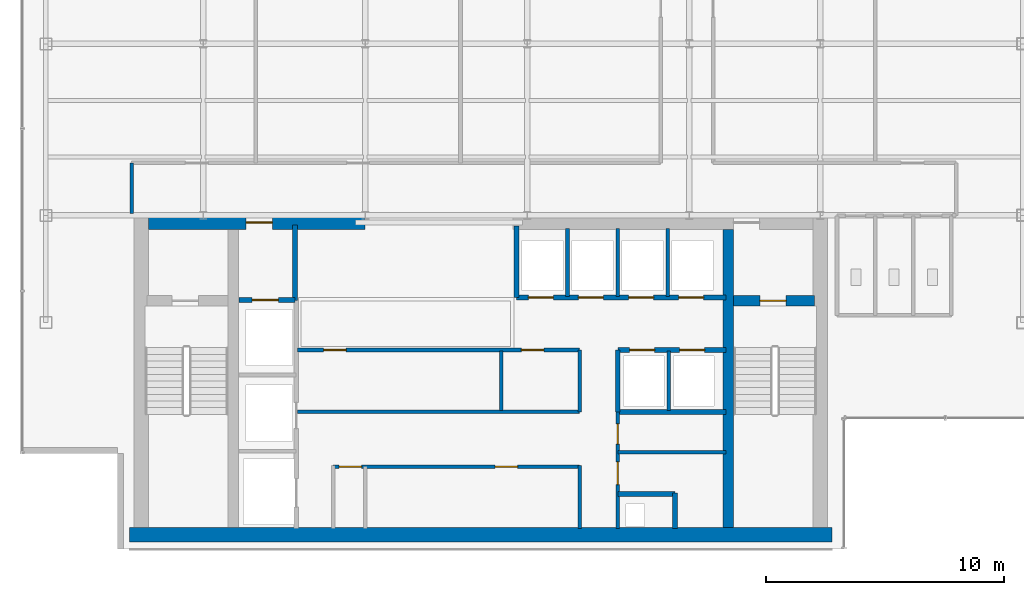
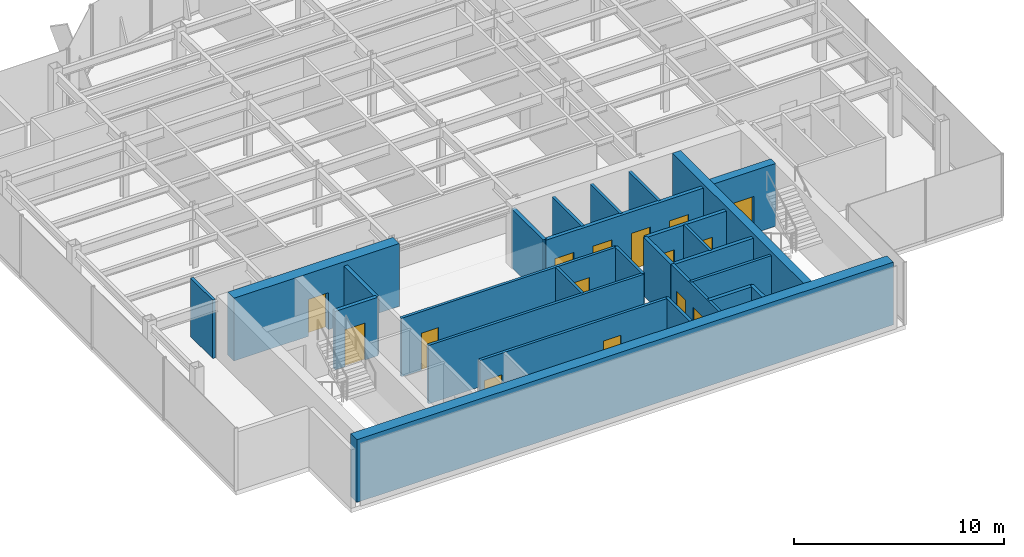
# One storey, part 17 of 22: 26 walls, 15 doors, 15 openings.
"""IFC4 building model written with IfcOpenShell, lengths in metres."""

from ifc_helpers import new_model, si_unit, derived_unit, direction, frame, frame_2d, origin, place, context, subcontext, project, spatial, rectangle, extrude, source, transform, mapped, material, layer, layer_set, type_object, element, fill, save


model = new_model("IFC4")

# Units and contexts
model_context = context("Model", 3, precision=1e-05, world=origin(), true_north=direction((0.0, 1.0)))
body_context = subcontext(model_context, "Body", "Model", "MODEL_VIEW")
ifc_project = project(units=[si_unit("LENGTHUNIT", "METRE"), si_unit("AREAUNIT", "SQUARE_METRE"), si_unit("VOLUMEUNIT", "CUBIC_METRE"), si_unit("PLANEANGLEUNIT", "RADIAN"), si_unit("MASSUNIT", "GRAM", prefix="KILO"), derived_unit("THERMALTRANSMITTANCEUNIT", [(si_unit("POWERUNIT", "WATT"), 1), (si_unit("LENGTHUNIT", "METRE"), -2), (si_unit("THERMODYNAMICTEMPERATUREUNIT", "KELVIN"), -1)])], contexts=[model_context])

# Site, building, storey
site_placement = place(None, origin())
site = spatial("IfcSite", under=ifc_project, at=site_placement, CompositionType="ELEMENT")
building_placement = place(site_placement, origin())
building = spatial("IfcBuilding", under=site, at=building_placement, Name="Skarnbrae Concourse Arena and Tower", CompositionType="ELEMENT")
storey_placement = place(building_placement, frame((0.0, 0.0, 225.10009765625)))
storey = spatial("IfcBuildingStorey", under=building, at=storey_placement, Name="L58", CompositionType="ELEMENT", Elevation=225.10009765625)

# Wall, opening, door
ifc_material_1 = material(Name="Concrete 50 MPa (C50/60)", Category="concrete")
ifc_layer_1 = layer(ifc_material_1, 0.449951171875)
ifc_layer_set_1 = layer_set([ifc_layer_1], Name="Concrete 50 MPa (C50/60)")
wall_type_1 = type_object("IfcWallType", Name="WALL-CORE-450-C50", PredefinedType="SHEAR", material=ifc_layer_set_1)
shared_shape_1 = source(origin(), body_context, "Body", "SweptSolid", [
    extrude(rectangle(XDim=3.389892578125, YDim=0.449951171875, at=frame_2d((1.69482421875, 0.0))), origin(), (0.0, 0.0, 1.0), 3.64990234375),
])
wall_1_placement = place(storey_placement, frame((29.860107421875, 10.419921875, 0.0), z_axis=(0.0, 0.0, 1.0), x_axis=(1.0, 0.0, 0.0)))
wall_1 = element("IfcWall", 1, at=wall_1_placement, inside=storey, type_object=wall_type_1, Name="L58 Rear core shear wall CW-ST2-N", PredefinedType="SHEAR", context=body_context, shape_type="MappedRepresentation", body=[
    mapped(shared_shape_1, transform((0.0, 0.0, 0.0))),
])
opening_1_placement = place(wall_1_placement, frame((1.10009765625, 0.0, 0.0)))
opening_1 = element("IfcOpeningElement", 2, at=opening_1_placement, cuts=wall_1, Name="Opening DT-03", PredefinedType="OPENING", context=body_context, shape_type="SweptSolid", body=[
    extrude(rectangle(XDim=1.10009765625, YDim=2.14990234375, at=frame_2d((0.550048828125, 1.074951171875))), frame((0.0, 0.23486328125, 0.0), z_axis=(0.0, -1.0, 0.0), x_axis=(1.0, 0.0, 0.0)), (0.0, 0.0, 1.0), 0.469970703125),
])
ifc_material_2 = material(Name="Steel CSA G40.21 350W", Category="steel")
door_type_1 = type_object("IfcDoorType", Name="DOOR-FIRE-1100-90M", OperationType="NOTDEFINED", PredefinedType="DOOR", material=ifc_material_2)
shared_shape_2 = source(origin(), body_context, "Body", "SweptSolid", [
    extrude(rectangle(XDim=1.10009765625, YDim=2.14990234375, at=frame_2d((0.550048828125, 1.074951171875))), frame((0.0, 0.02490234375, 0.0), z_axis=(0.0, -1.0, 0.0), x_axis=(1.0, 0.0, 0.0)), (0.0, 0.0, 1.0), 0.050048828125),
])
door_1_placement = place(opening_1_placement, frame((1.10009765625, 0.0, 0.0), z_axis=(0.0, 0.0, 1.0), x_axis=(-1.0, 0.0, 0.0)))
door_1 = element("IfcDoor", 3, at=door_1_placement, inside=storey, type_object=door_type_1, Name="D-1761 Stair ST-2 Door", OperationType="SINGLE_SWING_RIGHT", OverallHeight=2.14990234375, OverallWidth=1.10009765625, PredefinedType="DOOR", context=body_context, shape_type="MappedRepresentation", body=[
    mapped(shared_shape_2, transform((0.0, 0.0, 0.0))),
])
fill(opening_1, door_1)

# Wall
ifc_layer_2 = layer(ifc_material_1, 0.60009765625)
ifc_layer_set_2 = layer_set([ifc_layer_2], Name="Concrete 50 MPa (C50/60)")
wall_type_2 = type_object("IfcWallType", Name="WALL-CORE-600-C50", PredefinedType="SHEAR", material=ifc_layer_set_2)
shared_shape_3 = source(origin(), body_context, "Body", "SweptSolid", [
    extrude(rectangle(XDim=29.5, YDim=0.60009765625, at=frame_2d((14.75, 0.0))), origin(), (0.0, 0.0, 1.0), 3.64990234375),
])
wall_2_placement = place(storey_placement, frame((4.5, 0.60009765625, 0.0), z_axis=(0.0, 0.0, 1.0), x_axis=(1.0, 0.0, 0.0)))
element("IfcWall", 4, at=wall_2_placement, inside=storey, type_object=wall_type_2, Name="L58 Rear core shear wall CW-S", PredefinedType="SHEAR", context=body_context, shape_type="MappedRepresentation", body=[
    mapped(shared_shape_3, transform((0.0, 0.0, 0.0))),
])

# Wall, opening, door
shared_shape_4 = source(origin(), body_context, "Body", "SweptSolid", [
    extrude(rectangle(XDim=9.099853515625, YDim=0.60009765625, at=frame_2d((4.5498046875, 0.0))), origin(), (0.0, 0.0, 1.0), 3.64990234375),
])
wall_3_placement = place(storey_placement, frame((5.300048828125, 13.699951171875, 0.0), z_axis=(0.0, 0.0, 1.0), x_axis=(1.0, 0.0, 0.0)))
wall_3 = element("IfcWall", 5, at=wall_3_placement, inside=storey, type_object=wall_type_2, Name="L58 Rear core shear wall CW-NW", PredefinedType="SHEAR", context=body_context, shape_type="MappedRepresentation", body=[
    mapped(shared_shape_4, transform((0.0, 0.0, 0.0))),
])
opening_2_placement = place(wall_3_placement, frame((4.10009765625, 0.0, 0.0)))
opening_2 = element("IfcOpeningElement", 6, at=opening_2_placement, cuts=wall_3, Name="Opening DT-03", PredefinedType="OPENING", context=body_context, shape_type="SweptSolid", body=[
    extrude(rectangle(XDim=1.10009765625, YDim=2.14990234375, at=frame_2d((0.550048828125, 1.074951171875))), frame((0.0, 0.31005859375, 0.0), z_axis=(0.0, -1.0, 0.0), x_axis=(1.0, 0.0, 0.0)), (0.0, 0.0, 1.0), 0.6201171875),
])
door_2_placement = place(opening_2_placement, origin())
door_2 = element("IfcDoor", 7, at=door_2_placement, inside=storey, type_object=door_type_1, Name="D-1762 Firefighting Lobby Exit Door", OperationType="SINGLE_SWING_RIGHT", OverallHeight=2.14990234375, OverallWidth=1.10009765625, PredefinedType="DOOR", context=body_context, shape_type="MappedRepresentation", body=[
    mapped(shared_shape_2, transform((0.0, 0.0, 0.0))),
])
fill(opening_2, door_2)

# Walls
shared_shape_5 = source(origin(), body_context, "Body", "SweptSolid", [
    extrude(rectangle(XDim=12.5, YDim=0.449951171875, at=frame_2d((6.25, 0.0))), origin(), (0.0, 0.0, 1.0), 3.64990234375),
])
wall_4_placement = place(storey_placement, frame((29.635009765625, 0.89990234375, 0.0), z_axis=(0.0, 0.0, 1.0), x_axis=(0.0, 1.0, 0.0)))
element("IfcWall", 8, at=wall_4_placement, inside=storey, type_object=wall_type_1, Name="L58 Rear core shear wall CW-WEB-E", PredefinedType="SHEAR", context=body_context, shape_type="MappedRepresentation", body=[
    mapped(shared_shape_5, transform((0.0, 0.0, 0.0))),
])
ifc_material_3 = material(Name="Gypsum board on cold-formed steel studs", Category="steel")
ifc_layer_3 = layer(ifc_material_3, 0.199951171875)
ifc_layer_set_3 = layer_set([ifc_layer_3], Name="Gypsum board on cold-formed steel studs")
wall_type_3 = type_object("IfcWallType", Name="WALL-PART-200-2HR", PredefinedType="PARTITIONING", material=ifc_layer_set_3)
shared_shape_6 = source(origin(), body_context, "Body", "SweptSolid", [
    extrude(rectangle(XDim=3.18017578125, YDim=0.199951171875, at=frame_2d((1.590087890625, 0.0))), origin(), (0.0, 0.0, 1.0), 3.39990234375),
])
wall_5_placement = place(storey_placement, frame((11.449951171875, 10.419921875, 0.0), z_axis=(0.0, 0.0, 1.0), x_axis=(0.0, 1.0, 0.0)))
element("IfcWall", 9, at=wall_5_placement, inside=storey, type_object=wall_type_3, Name="L58 Interior partition wall W-L58-FFL-E", PredefinedType="PARTITIONING", context=body_context, shape_type="MappedRepresentation", body=[
    mapped(shared_shape_6, transform((0.0, 0.0, 0.0))),
])

# Wall, opening, door
shared_shape_7 = source(origin(), body_context, "Body", "SweptSolid", [
    extrude(rectangle(XDim=2.349853515625, YDim=0.199951171875, at=frame_2d((1.1748046875, 0.0))), origin(), (0.0, 0.0, 1.0), 3.39990234375),
])
wall_6_placement = place(storey_placement, frame((9.10009765625, 10.449951171875, 0.0), z_axis=(0.0, 0.0, 1.0), x_axis=(1.0, 0.0, 0.0)))
wall_6 = element("IfcWall", 10, at=wall_6_placement, inside=storey, type_object=wall_type_3, Name="L58 Interior partition wall W-L58-FL1-N", PredefinedType="PARTITIONING", context=body_context, shape_type="MappedRepresentation", body=[
    mapped(shared_shape_7, transform((0.0, 0.0, 0.0))),
])
opening_3_placement = place(wall_6_placement, frame((0.550048828125, 0.0, 0.0)))
opening_3 = element("IfcOpeningElement", 11, at=opening_3_placement, cuts=wall_6, Name="Opening LD-01", PredefinedType="OPENING", context=body_context, shape_type="SweptSolid", body=[
    extrude(rectangle(XDim=1.10009765625, YDim=2.14990234375, at=frame_2d((0.550048828125, 1.074951171875))), frame((0.0, 0.10986328125, 0.0), z_axis=(0.0, -1.0, 0.0), x_axis=(1.0, 0.0, 0.0)), (0.0, 0.0, 1.0), 0.219970703125),
])
door_type_2 = type_object("IfcDoorType", Name="DOOR-LIFT-SLIDE-1100", OperationType="SLIDING_TO_LEFT", PredefinedType="DOOR", material=ifc_material_2)
door_3_placement = place(opening_3_placement, origin())
door_3 = element("IfcDoor", 12, at=door_3_placement, inside=storey, type_object=door_type_2, Name="D-1764 Firefighting Lift Landing Door FL-01", OperationType="SLIDING_TO_LEFT", OverallHeight=2.14990234375, OverallWidth=1.10009765625, PredefinedType="DOOR", context=body_context, shape_type="MappedRepresentation", body=[
    mapped(shared_shape_2, transform((0.0, 0.0, 0.0))),
])
fill(opening_3, door_3)

# Walls
shared_shape_8 = source(origin(), body_context, "Body", "SweptSolid", [
    extrude(rectangle(XDim=2.60009765625, YDim=0.199951171875, at=frame_2d((1.300048828125, 0.0))), origin(), (0.0, 0.0, 1.0), 3.39990234375),
])
wall_7_placement = place(storey_placement, frame((25.0, 5.75, 0.0), z_axis=(0.0, 0.0, 1.0), x_axis=(0.0, 1.0, 0.0)))
element("IfcWall", 13, at=wall_7_placement, inside=storey, type_object=wall_type_3, Name="L58 Interior partition wall W-L58-B3S-W", PredefinedType="PARTITIONING", context=body_context, shape_type="MappedRepresentation", body=[
    mapped(shared_shape_8, transform((0.0, 0.0, 0.0))),
])
ifc_layer_4 = layer(ifc_material_3, 0.14990234375)
ifc_layer_set_4 = layer_set([ifc_layer_4], Name="Gypsum board on cold-formed steel studs")
wall_type_4 = type_object("IfcWallType", Name="WALL-PART-150", PredefinedType="PARTITIONING", material=ifc_layer_set_4)
shared_shape_9 = source(origin(), body_context, "Body", "SweptSolid", [
    extrude(rectangle(XDim=2.5, YDim=0.14990234375, at=frame_2d((1.25, 0.0))), origin(), (0.0, 0.0, 1.0), 3.39990234375),
])
for number, where, z_axis, x_axis, name in (
    (14, (20.10009765625, 5.800048828125, 0.0), (0.0, 0.0, 1.0), (0.0, 1.0, 0.0), "L58 Interior partition wall W-L58-B2M-MID"),
    (15, (27.139892578125, 5.800048828125, 0.0), (0.0, 0.0, 1.0), (0.0, 1.0, 0.0), "L58 Interior partition wall W-L58-B3S-P1"),
):
    element("IfcWall", number, at=place(storey_placement, frame(where, z_axis=z_axis, x_axis=x_axis)), inside=storey, type_object=wall_type_4, Name=name, PredefinedType="PARTITIONING", context=body_context, shape_type="MappedRepresentation", body=[
        mapped(shared_shape_9, transform((0.0, 0.0, 0.0))),
    ])

# Wall, openings, doors
shared_shape_10 = source(origin(), body_context, "Body", "SweptSolid", [
    extrude(rectangle(XDim=8.800048828125, YDim=0.199951171875, at=frame_2d((4.39990234375, 0.0))), origin(), (0.0, 0.0, 1.0), 3.39990234375),
])
wall_8_placement = place(storey_placement, frame((20.75, 10.550048828125, 0.0), z_axis=(0.0, 0.0, 1.0), x_axis=(1.0, 0.0, 0.0)))
wall_8 = element("IfcWall", 16, at=wall_8_placement, inside=storey, type_object=wall_type_3, Name="L58 Interior partition wall W-L58-B3N-S", PredefinedType="PARTITIONING", context=body_context, shape_type="MappedRepresentation", body=[
    mapped(shared_shape_10, transform((0.0, 0.0, 0.0))),
])
opening_4_placement = place(wall_8_placement, frame((0.5, 0.0, 0.0)))
opening_4 = element("IfcOpeningElement", 17, at=opening_4_placement, cuts=wall_8, Name="Opening LD-04", PredefinedType="OPENING", context=body_context, shape_type="SweptSolid", body=[
    extrude(rectangle(XDim=1.050048828125, YDim=2.14990234375, at=frame_2d((0.52490234375, 1.074951171875))), frame((0.0, 0.10986328125, 0.0), z_axis=(0.0, -1.0, 0.0), x_axis=(1.0, 0.0, 0.0)), (0.0, 0.0, 1.0), 0.219970703125),
])
opening_5_placement = place(wall_8_placement, frame((2.60009765625, 0.0, 0.0)))
opening_5 = element("IfcOpeningElement", 18, at=opening_5_placement, cuts=wall_8, Name="Opening LD-04", PredefinedType="OPENING", context=body_context, shape_type="SweptSolid", body=[
    extrude(rectangle(XDim=1.050048828125, YDim=2.14990234375, at=frame_2d((0.52490234375, 1.074951171875))), frame((0.0, 0.10986328125, 0.0), z_axis=(0.0, -1.0, 0.0), x_axis=(1.0, 0.0, 0.0)), (0.0, 0.0, 1.0), 0.219970703125),
])
opening_6_placement = place(wall_8_placement, frame((4.699951171875, 0.0, 0.0)))
opening_6 = element("IfcOpeningElement", 19, at=opening_6_placement, cuts=wall_8, Name="Opening LD-04", PredefinedType="OPENING", context=body_context, shape_type="SweptSolid", body=[
    extrude(rectangle(XDim=1.050048828125, YDim=2.14990234375, at=frame_2d((0.52490234375, 1.074951171875))), frame((0.0, 0.10986328125, 0.0), z_axis=(0.0, -1.0, 0.0), x_axis=(1.0, 0.0, 0.0)), (0.0, 0.0, 1.0), 0.219970703125),
])
opening_7_placement = place(wall_8_placement, frame((6.800048828125, 0.0, 0.0)))
opening_7 = element("IfcOpeningElement", 20, at=opening_7_placement, cuts=wall_8, Name="Opening LD-04", PredefinedType="OPENING", context=body_context, shape_type="SweptSolid", body=[
    extrude(rectangle(XDim=1.050048828125, YDim=2.14990234375, at=frame_2d((0.52490234375, 1.074951171875))), frame((0.0, 0.10986328125, 0.0), z_axis=(0.0, -1.0, 0.0), x_axis=(1.0, 0.0, 0.0)), (0.0, 0.0, 1.0), 0.219970703125),
])
ifc_material_4 = material(Name="Bronze anodised aluminium 6063-T6", Category="aluminium")
door_type_3 = type_object("IfcDoorType", Name="DOOR-LIFT-SLIDE-1050H", OperationType="SLIDING_TO_LEFT", PredefinedType="DOOR", material=ifc_material_4)
shared_shape_11 = source(origin(), body_context, "Body", "SweptSolid", [
    extrude(rectangle(XDim=1.050048828125, YDim=2.14990234375, at=frame_2d((0.52490234375, 1.074951171875))), frame((0.0, 0.02490234375, 0.0), z_axis=(0.0, -1.0, 0.0), x_axis=(1.0, 0.0, 0.0)), (0.0, 0.0, 1.0), 0.050048828125),
])
door_4_placement = place(opening_4_placement, frame((1.050048828125, 0.0, 0.0), z_axis=(0.0, 0.0, 1.0), x_axis=(-1.0, 0.0, 0.0)))
door_4 = element("IfcDoor", 21, at=door_4_placement, inside=storey, type_object=door_type_3, Name="D-1771 Passenger Lift Landing Door PL-3A", OperationType="SLIDING_TO_LEFT", OverallHeight=2.14990234375, OverallWidth=1.050048828125, PredefinedType="DOOR", context=body_context, shape_type="MappedRepresentation", body=[
    mapped(shared_shape_11, transform((0.0, 0.0, 0.0))),
])
fill(opening_4, door_4)
door_5_placement = place(opening_5_placement, frame((1.050048828125, 0.0, 0.0), z_axis=(0.0, 0.0, 1.0), x_axis=(-1.0, 0.0, 0.0)))
door_5 = element("IfcDoor", 22, at=door_5_placement, inside=storey, type_object=door_type_3, Name="D-1772 Passenger Lift Landing Door PL-3B", OperationType="SLIDING_TO_LEFT", OverallHeight=2.14990234375, OverallWidth=1.050048828125, PredefinedType="DOOR", context=body_context, shape_type="MappedRepresentation", body=[
    mapped(shared_shape_11, transform((0.0, 0.0, 0.0))),
])
fill(opening_5, door_5)
door_6_placement = place(opening_6_placement, frame((1.050048828125, 0.0, 0.0), z_axis=(0.0, 0.0, 1.0), x_axis=(-1.0, 0.0, 0.0)))
door_6 = element("IfcDoor", 23, at=door_6_placement, inside=storey, type_object=door_type_3, Name="D-1773 Passenger Lift Landing Door PL-3C", OperationType="SLIDING_TO_LEFT", OverallHeight=2.14990234375, OverallWidth=1.050048828125, PredefinedType="DOOR", context=body_context, shape_type="MappedRepresentation", body=[
    mapped(shared_shape_11, transform((0.0, 0.0, 0.0))),
])
fill(opening_6, door_6)
door_7_placement = place(opening_7_placement, frame((1.050048828125, 0.0, 0.0), z_axis=(0.0, 0.0, 1.0), x_axis=(-1.0, 0.0, 0.0)))
door_7 = element("IfcDoor", 24, at=door_7_placement, inside=storey, type_object=door_type_3, Name="D-1774 Passenger Lift Landing Door PL-3D", OperationType="SLIDING_TO_LEFT", OverallHeight=2.14990234375, OverallWidth=1.050048828125, PredefinedType="DOOR", context=body_context, shape_type="MappedRepresentation", body=[
    mapped(shared_shape_11, transform((0.0, 0.0, 0.0))),
])
fill(opening_7, door_7)

# Walls
shared_shape_12 = source(origin(), body_context, "Body", "SweptSolid", [
    extrude(rectangle(XDim=3.0, YDim=0.199951171875, at=frame_2d((1.5, 0.0))), origin(), (0.0, 0.0, 1.0), 3.39990234375),
])
wall_9_placement = place(storey_placement, frame((20.75, 10.550048828125, 0.0), z_axis=(0.0, 0.0, 1.0), x_axis=(0.0, 1.0, 0.0)))
element("IfcWall", 25, at=wall_9_placement, inside=storey, type_object=wall_type_3, Name="L58 Interior partition wall W-L58-B3N-W", PredefinedType="PARTITIONING", context=body_context, shape_type="MappedRepresentation", body=[
    mapped(shared_shape_12, transform((0.0, 0.0, 0.0))),
])
shared_shape_13 = source(origin(), body_context, "Body", "SweptSolid", [
    extrude(rectangle(XDim=2.849853515625, YDim=0.14990234375, at=frame_2d((1.4248046875, 0.0))), origin(), (0.0, 0.0, 1.0), 3.39990234375),
])
for number, where, z_axis, x_axis, name in (
    (26, (22.889892578125, 10.60009765625, 0.0), (0.0, 0.0, 1.0), (0.0, 1.0, 0.0), "L58 Interior partition wall W-L58-B3N-P1"),
    (27, (24.989990234375, 10.60009765625, 0.0), (0.0, 0.0, 1.0), (0.0, 1.0, 0.0), "L58 Interior partition wall W-L58-B3N-P2"),
    (28, (27.090087890625, 10.60009765625, 0.0), (0.0, 0.0, 1.0), (0.0, 1.0, 0.0), "L58 Interior partition wall W-L58-B3N-P3"),
):
    element("IfcWall", number, at=place(storey_placement, frame(where, z_axis=z_axis, x_axis=x_axis)), inside=storey, type_object=wall_type_4, Name=name, PredefinedType="PARTITIONING", context=body_context, shape_type="MappedRepresentation", body=[
        mapped(shared_shape_13, transform((0.0, 0.0, 0.0))),
    ])

# Wall, openings, doors
shared_shape_14 = source(origin(), body_context, "Body", "SweptSolid", [
    extrude(rectangle(XDim=4.550048828125, YDim=0.199951171875, at=frame_2d((2.27490234375, 0.0))), origin(), (0.0, 0.0, 1.0), 3.39990234375),
])
wall_10_placement = place(storey_placement, frame((25.0, 8.35009765625, 0.0), z_axis=(0.0, 0.0, 1.0), x_axis=(1.0, 0.0, 0.0)))
wall_10 = element("IfcWall", 29, at=wall_10_placement, inside=storey, type_object=wall_type_3, Name="L58 Interior partition wall W-L58-B3S-N", PredefinedType="PARTITIONING", context=body_context, shape_type="MappedRepresentation", body=[
    mapped(shared_shape_14, transform((0.0, 0.0, 0.0))),
])
opening_8_placement = place(wall_10_placement, frame((0.5, 0.0, 0.0)))
opening_8 = element("IfcOpeningElement", 30, at=opening_8_placement, cuts=wall_10, Name="Opening LD-04", PredefinedType="OPENING", context=body_context, shape_type="SweptSolid", body=[
    extrude(rectangle(XDim=1.050048828125, YDim=2.14990234375, at=frame_2d((0.52490234375, 1.074951171875))), frame((0.0, 0.10986328125, 0.0), z_axis=(0.0, -1.0, 0.0), x_axis=(1.0, 0.0, 0.0)), (0.0, 0.0, 1.0), 0.219970703125),
])
opening_9_placement = place(wall_10_placement, frame((2.60009765625, 0.0, 0.0)))
opening_9 = element("IfcOpeningElement", 31, at=opening_9_placement, cuts=wall_10, Name="Opening LD-04", PredefinedType="OPENING", context=body_context, shape_type="SweptSolid", body=[
    extrude(rectangle(XDim=1.050048828125, YDim=2.14990234375, at=frame_2d((0.52490234375, 1.074951171875))), frame((0.0, 0.10986328125, 0.0), z_axis=(0.0, -1.0, 0.0), x_axis=(1.0, 0.0, 0.0)), (0.0, 0.0, 1.0), 0.219970703125),
])
door_8_placement = place(opening_8_placement, origin())
door_8 = element("IfcDoor", 32, at=door_8_placement, inside=storey, type_object=door_type_3, Name="D-1775 Passenger Lift Landing Door PL-3E", OperationType="SLIDING_TO_LEFT", OverallHeight=2.14990234375, OverallWidth=1.050048828125, PredefinedType="DOOR", context=body_context, shape_type="MappedRepresentation", body=[
    mapped(shared_shape_11, transform((0.0, 0.0, 0.0))),
])
fill(opening_8, door_8)
door_9_placement = place(opening_9_placement, origin())
door_9 = element("IfcDoor", 33, at=door_9_placement, inside=storey, type_object=door_type_3, Name="D-1776 Passenger Lift Landing Door PL-3F", OperationType="SLIDING_TO_LEFT", OverallHeight=2.14990234375, OverallWidth=1.050048828125, PredefinedType="DOOR", context=body_context, shape_type="MappedRepresentation", body=[
    mapped(shared_shape_11, transform((0.0, 0.0, 0.0))),
])
fill(opening_9, door_9)

# Wall
wall_11_placement = place(storey_placement, frame((25.0, 5.75, 0.0), z_axis=(0.0, 0.0, 1.0), x_axis=(1.0, 0.0, 0.0)))
element("IfcWall", 34, at=wall_11_placement, inside=storey, type_object=wall_type_3, Name="L58 Interior partition wall W-L58-B3S-S", PredefinedType="PARTITIONING", context=body_context, shape_type="MappedRepresentation", body=[
    mapped(shared_shape_14, transform((0.0, 0.0, 0.0))),
])

# Wall, openings, doors
ifc_layer_5 = layer(ifc_material_3, 0.14990234375)
ifc_layer_set_5 = layer_set([ifc_layer_5], Name="Gypsum board on cold-formed steel studs")
wall_type_5 = type_object("IfcWallType", Name="WALL-PART-150-1HR", PredefinedType="PARTITIONING", material=ifc_layer_set_5)
shared_shape_15 = source(origin(), body_context, "Body", "SweptSolid", [
    extrude(rectangle(XDim=4.89990234375, YDim=0.14990234375, at=frame_2d((2.449951171875, 0.0))), origin(), (0.0, 0.0, 1.0), 3.39990234375),
])
wall_12_placement = place(storey_placement, frame((25.0, 0.85009765625, 0.0), z_axis=(0.0, 0.0, 1.0), x_axis=(0.0, 1.0, 0.0)))
wall_12 = element("IfcWall", 35, at=wall_12_placement, inside=storey, type_object=wall_type_5, Name="L58 Interior partition wall W-L58-CSV-W", PredefinedType="PARTITIONING", context=body_context, shape_type="MappedRepresentation", body=[
    mapped(shared_shape_15, transform((0.0, 0.0, 0.0))),
])
opening_10_placement = place(wall_12_placement, frame((1.85009765625, 0.0, 0.0)))
opening_10 = element("IfcOpeningElement", 36, at=opening_10_placement, cuts=wall_12, Name="Opening DT-04", PredefinedType="OPENING", context=body_context, shape_type="SweptSolid", body=[
    extrude(rectangle(XDim=0.949951171875, YDim=2.14990234375, at=frame_2d((0.47509765625, 1.074951171875))), frame((0.0, 0.0849609375, 0.0), z_axis=(0.0, -1.0, 0.0), x_axis=(1.0, 0.0, 0.0)), (0.0, 0.0, 1.0), 0.169921875),
])
opening_11_placement = place(wall_12_placement, frame((3.550048828125, 0.0, 0.0)))
opening_11 = element("IfcOpeningElement", 37, at=opening_11_placement, cuts=wall_12, Name="Opening DT-08", PredefinedType="OPENING", context=body_context, shape_type="SweptSolid", body=[
    extrude(rectangle(XDim=0.85009765625, YDim=2.14990234375, at=frame_2d((0.425048828125, 1.074951171875))), frame((0.0, 0.0849609375, 0.0), z_axis=(0.0, -1.0, 0.0), x_axis=(1.0, 0.0, 0.0)), (0.0, 0.0, 1.0), 0.169921875),
])
door_type_4 = type_object("IfcDoorType", Name="DOOR-INT-950-45M", OperationType="NOTDEFINED", PredefinedType="DOOR", material=ifc_material_2)
shared_shape_16 = source(origin(), body_context, "Body", "SweptSolid", [
    extrude(rectangle(XDim=0.949951171875, YDim=2.14990234375, at=frame_2d((0.47509765625, 1.074951171875))), frame((0.0, 0.02490234375, 0.0), z_axis=(0.0, -1.0, 0.0), x_axis=(1.0, 0.0, 0.0)), (0.0, 0.0, 1.0), 0.050048828125),
])
door_10_placement = place(opening_10_placement, origin())
door_10 = element("IfcDoor", 38, at=door_10_placement, inside=storey, type_object=door_type_4, Name="D-1777 Core Staff WC Door", OperationType="SINGLE_SWING_RIGHT", OverallHeight=2.14990234375, OverallWidth=0.949951171875, PredefinedType="DOOR", context=body_context, shape_type="MappedRepresentation", body=[
    mapped(shared_shape_16, transform((0.0, 0.0, 0.0))),
])
fill(opening_10, door_10)
door_type_5 = type_object("IfcDoorType", Name="DOOR-INT-850-45M", OperationType="NOTDEFINED", PredefinedType="DOOR", material=ifc_material_2)
shared_shape_17 = source(origin(), body_context, "Body", "SweptSolid", [
    extrude(rectangle(XDim=0.85009765625, YDim=2.14990234375, at=frame_2d((0.425048828125, 1.074951171875))), frame((0.0, 0.02490234375, 0.0), z_axis=(0.0, -1.0, 0.0), x_axis=(1.0, 0.0, 0.0)), (0.0, 0.0, 1.0), 0.050048828125),
])
door_11_placement = place(opening_11_placement, origin())
door_11 = element("IfcDoor", 39, at=door_11_placement, inside=storey, type_object=door_type_5, Name="D-1778 IT Patch Room Door", OperationType="SINGLE_SWING_LEFT", OverallHeight=2.14990234375, OverallWidth=0.85009765625, PredefinedType="DOOR", context=body_context, shape_type="MappedRepresentation", body=[
    mapped(shared_shape_17, transform((0.0, 0.0, 0.0))),
])
fill(opening_11, door_11)

# Walls
shared_shape_18 = source(origin(), body_context, "Body", "SweptSolid", [
    extrude(rectangle(XDim=2.39990234375, YDim=0.199951171875, at=frame_2d((1.199951171875, 0.0))), origin(), (0.0, 0.0, 1.0), 3.39990234375),
])
wall_13_placement = place(storey_placement, frame((25.0, 2.300048828125, 0.0), z_axis=(0.0, 0.0, 1.0), x_axis=(1.0, 0.0, 0.0)))
element("IfcWall", 40, at=wall_13_placement, inside=storey, type_object=wall_type_3, Name="L58 Interior partition wall W-L58-MEP-N", PredefinedType="PARTITIONING", context=body_context, shape_type="MappedRepresentation", body=[
    mapped(shared_shape_18, transform((0.0, 0.0, 0.0))),
])
shared_shape_19 = source(origin(), body_context, "Body", "SweptSolid", [
    extrude(rectangle(XDim=1.5, YDim=0.199951171875, at=frame_2d((0.75, 0.0))), origin(), (0.0, 0.0, 1.0), 3.39990234375),
])
wall_14_placement = place(storey_placement, frame((27.39990234375, 0.85009765625, 0.0), z_axis=(0.0, 0.0, 1.0), x_axis=(0.0, 1.0, 0.0)))
element("IfcWall", 41, at=wall_14_placement, inside=storey, type_object=wall_type_3, Name="L58 Interior partition wall W-L58-MEP-E", PredefinedType="PARTITIONING", context=body_context, shape_type="MappedRepresentation", body=[
    mapped(shared_shape_19, transform((0.0, 0.0, 0.0))),
])
shared_shape_20 = source(origin(), body_context, "Body", "SweptSolid", [
    extrude(rectangle(XDim=4.550048828125, YDim=0.14990234375, at=frame_2d((2.27490234375, 0.0))), origin(), (0.0, 0.0, 1.0), 3.39990234375),
])
wall_15_placement = place(storey_placement, frame((25.0, 4.050048828125, 0.0), z_axis=(0.0, 0.0, 1.0), x_axis=(1.0, 0.0, 0.0)))
element("IfcWall", 42, at=wall_15_placement, inside=storey, type_object=wall_type_4, Name="L58 Interior partition wall W-L58-CSV-H2", PredefinedType="PARTITIONING", context=body_context, shape_type="MappedRepresentation", body=[
    mapped(shared_shape_20, transform((0.0, 0.0, 0.0))),
])
shared_shape_21 = source(origin(), body_context, "Body", "SweptSolid", [
    extrude(rectangle(XDim=2.64990234375, YDim=0.14990234375, at=frame_2d((1.324951171875, 0.0))), origin(), (0.0, 0.0, 1.0), 3.39990234375),
])
wall_16_placement = place(storey_placement, frame((23.39990234375, 0.85009765625, 0.0), z_axis=(0.0, 0.0, 1.0), x_axis=(0.0, 1.0, 0.0)))
element("IfcWall", 43, at=wall_16_placement, inside=storey, type_object=wall_type_5, Name="L58 Interior partition wall W-L58-B1M-E", PredefinedType="PARTITIONING", context=body_context, shape_type="MappedRepresentation", body=[
    mapped(shared_shape_21, transform((0.0, 0.0, 0.0))),
])

# Wall, openings, doors
shared_shape_22 = source(origin(), body_context, "Body", "SweptSolid", [
    extrude(rectangle(XDim=10.349853515625, YDim=0.14990234375, at=frame_2d((5.1748046875, 0.0))), origin(), (0.0, 0.0, 1.0), 3.39990234375),
])
wall_17_placement = place(storey_placement, frame((13.050048828125, 3.449951171875, 0.0), z_axis=(0.0, 0.0, 1.0), x_axis=(1.0, 0.0, 0.0)))
wall_17 = element("IfcWall", 44, at=wall_17_placement, inside=storey, type_object=wall_type_5, Name="L58 Interior partition wall W-L58-B1M-N", PredefinedType="PARTITIONING", context=body_context, shape_type="MappedRepresentation", body=[
    mapped(shared_shape_22, transform((0.0, 0.0, 0.0))),
])
opening_12_placement = place(wall_17_placement, frame((0.25, 0.0, 0.0)))
opening_12 = element("IfcOpeningElement", 45, at=opening_12_placement, cuts=wall_17, Name="Opening DT-04", PredefinedType="OPENING", context=body_context, shape_type="SweptSolid", body=[
    extrude(rectangle(XDim=0.949951171875, YDim=2.14990234375, at=frame_2d((0.47509765625, 1.074951171875))), frame((0.0, 0.0849609375, 0.0), z_axis=(0.0, -1.0, 0.0), x_axis=(1.0, 0.0, 0.0)), (0.0, 0.0, 1.0), 0.169921875),
])
opening_13_placement = place(wall_17_placement, frame((6.800048828125, 0.0, 0.0)))
opening_13 = element("IfcOpeningElement", 46, at=opening_13_placement, cuts=wall_17, Name="Opening DT-04", PredefinedType="OPENING", context=body_context, shape_type="SweptSolid", body=[
    extrude(rectangle(XDim=0.949951171875, YDim=2.14990234375, at=frame_2d((0.47509765625, 1.074951171875))), frame((0.0, 0.0849609375, 0.0), z_axis=(0.0, -1.0, 0.0), x_axis=(1.0, 0.0, 0.0)), (0.0, 0.0, 1.0), 0.169921875),
])
door_12_placement = place(opening_12_placement, origin())
door_12 = element("IfcDoor", 47, at=door_12_placement, inside=storey, type_object=door_type_4, Name="D-1767 First Aid Room Door", OperationType="SINGLE_SWING_LEFT", OverallHeight=2.14990234375, OverallWidth=0.949951171875, PredefinedType="DOOR", context=body_context, shape_type="MappedRepresentation", body=[
    mapped(shared_shape_16, transform((0.0, 0.0, 0.0))),
])
fill(opening_12, door_12)
door_13_placement = place(opening_13_placement, origin())
door_13 = element("IfcDoor", 48, at=door_13_placement, inside=storey, type_object=door_type_4, Name="D-1768 Archive Room Door", OperationType="SINGLE_SWING_RIGHT", OverallHeight=2.14990234375, OverallWidth=0.949951171875, PredefinedType="DOOR", context=body_context, shape_type="MappedRepresentation", body=[
    mapped(shared_shape_16, transform((0.0, 0.0, 0.0))),
])
fill(opening_13, door_13)

# Walls
shared_shape_23 = source(origin(), body_context, "Body", "SweptSolid", [
    extrude(rectangle(XDim=2.119873046875, YDim=0.14990234375, at=frame_2d((1.06005859375, 0.0))), origin(), (0.0, 0.0, 1.0), 3.39990234375),
])
wall_18_placement = place(storey_placement, frame((4.60009765625, 14.080078125, 0.0), z_axis=(0.0, 0.0, 1.0), x_axis=(0.0, 1.0, 0.0)))
element("IfcWall", 49, at=wall_18_placement, inside=storey, type_object=wall_type_5, Name="L58 Interior partition wall W-L58-COR-01", PredefinedType="PARTITIONING", context=body_context, shape_type="MappedRepresentation", body=[
    mapped(shared_shape_23, transform((0.0, 0.0, 0.0))),
])
shared_shape_24 = source(origin(), body_context, "Body", "SweptSolid", [
    extrude(rectangle(XDim=11.849853515625, YDim=0.14990234375, at=frame_2d((5.9248046875, 0.0))), origin(), (0.0, 0.0, 1.0), 3.39990234375),
])
wall_19_placement = place(storey_placement, frame((11.550048828125, 5.75, 0.0), z_axis=(0.0, 0.0, 1.0), x_axis=(1.0, 0.0, 0.0)))
element("IfcWall", 50, at=wall_19_placement, inside=storey, type_object=wall_type_5, Name="L58 Interior partition wall W-L58-B2M-S", PredefinedType="PARTITIONING", context=body_context, shape_type="MappedRepresentation", body=[
    mapped(shared_shape_24, transform((0.0, 0.0, 0.0))),
])

# Wall, openings, doors
wall_20_placement = place(storey_placement, frame((11.550048828125, 8.35009765625, 0.0), z_axis=(0.0, 0.0, 1.0), x_axis=(1.0, 0.0, 0.0)))
wall_20 = element("IfcWall", 51, at=wall_20_placement, inside=storey, type_object=wall_type_5, Name="L58 Interior partition wall W-L58-B2M-N", PredefinedType="PARTITIONING", context=body_context, shape_type="MappedRepresentation", body=[
    mapped(shared_shape_24, transform((0.0, 0.0, 0.0))),
])
opening_14_placement = place(wall_20_placement, frame((1.10009765625, 0.0, 0.0)))
opening_14 = element("IfcOpeningElement", 52, at=opening_14_placement, cuts=wall_20, Name="Opening DT-04", PredefinedType="OPENING", context=body_context, shape_type="SweptSolid", body=[
    extrude(rectangle(XDim=0.949951171875, YDim=2.14990234375, at=frame_2d((0.47509765625, 1.074951171875))), frame((0.0, 0.0849609375, 0.0), z_axis=(0.0, -1.0, 0.0), x_axis=(1.0, 0.0, 0.0)), (0.0, 0.0, 1.0), 0.169921875),
])
opening_15_placement = place(wall_20_placement, frame((9.39990234375, 0.0, 0.0)))
opening_15 = element("IfcOpeningElement", 53, at=opening_15_placement, cuts=wall_20, Name="Opening DT-04", PredefinedType="OPENING", context=body_context, shape_type="SweptSolid", body=[
    extrude(rectangle(XDim=0.949951171875, YDim=2.14990234375, at=frame_2d((0.47509765625, 1.074951171875))), frame((0.0, 0.0849609375, 0.0), z_axis=(0.0, -1.0, 0.0), x_axis=(1.0, 0.0, 0.0)), (0.0, 0.0, 1.0), 0.169921875),
])
door_14_placement = place(opening_14_placement, origin())
door_14 = element("IfcDoor", 54, at=door_14_placement, inside=storey, type_object=door_type_4, Name="D-1769 High-Zone Data Door", OperationType="SINGLE_SWING_RIGHT", OverallHeight=2.14990234375, OverallWidth=0.949951171875, PredefinedType="DOOR", context=body_context, shape_type="MappedRepresentation", body=[
    mapped(shared_shape_16, transform((0.0, 0.0, 0.0))),
])
fill(opening_14, door_14)
door_15_placement = place(opening_15_placement, origin())
door_15 = element("IfcDoor", 55, at=door_15_placement, inside=storey, type_object=door_type_4, Name="D-1770 Reprographics Door", OperationType="SINGLE_SWING_LEFT", OverallHeight=2.14990234375, OverallWidth=0.949951171875, PredefinedType="DOOR", context=body_context, shape_type="MappedRepresentation", body=[
    mapped(shared_shape_16, transform((0.0, 0.0, 0.0))),
])
fill(opening_15, door_15)

# Wall
shared_shape_25 = source(origin(), body_context, "Body", "SweptSolid", [
    extrude(rectangle(XDim=2.60009765625, YDim=0.14990234375, at=frame_2d((1.300048828125, 0.0))), origin(), (0.0, 0.0, 1.0), 3.39990234375),
])
wall_21_placement = place(storey_placement, frame((23.39990234375, 5.75, 0.0), z_axis=(0.0, 0.0, 1.0), x_axis=(0.0, 1.0, 0.0)))
element("IfcWall", 56, at=wall_21_placement, inside=storey, type_object=wall_type_5, Name="L58 Interior partition wall W-L58-B2M-E", PredefinedType="PARTITIONING", context=body_context, shape_type="MappedRepresentation", body=[
    mapped(shared_shape_25, transform((0.0, 0.0, 0.0))),
])

save(model, "model.ifc")
